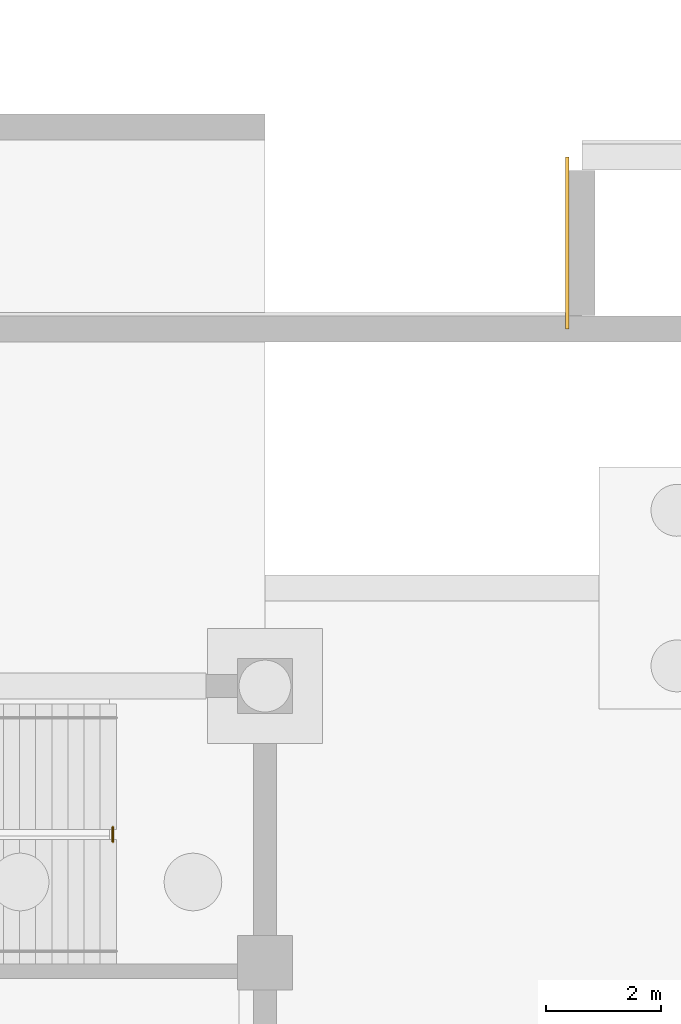
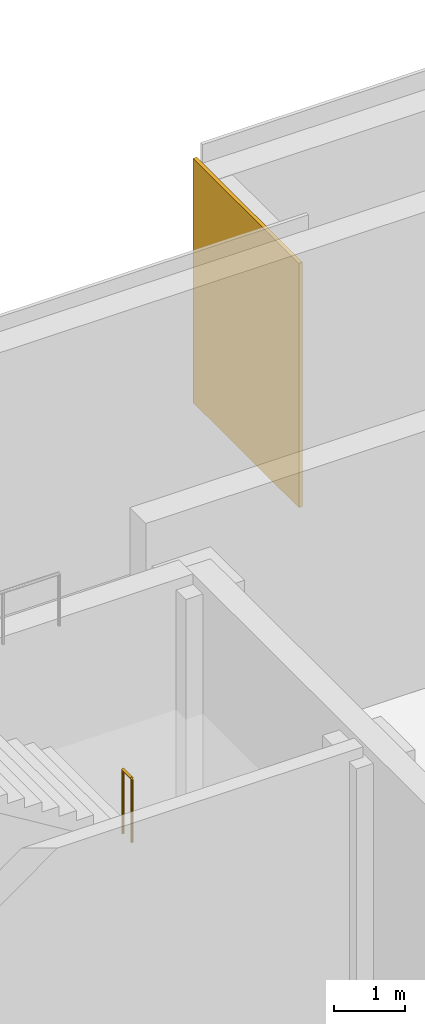
# One storey, part 20 of 25: 1 covering, 1 railing.
"""IFC4 building model written with IfcOpenShell, lengths in metres."""

from ifc_helpers import new_model, si_unit, direction, frame, origin, origin_2d, place, context, subcontext, project, spatial, rectangle, circle, extrude, material, layer, layer_set, type_object, element, save


model = new_model("IFC4")

# Units and contexts
model_context = context("Model", 3, precision=1e-05, world=origin(), true_north=direction((0.0, 1.0)))
body_context = subcontext(model_context, "Body", "Model", "MODEL_VIEW")
ifc_project = project(units=[si_unit("LENGTHUNIT", "METRE"), si_unit("AREAUNIT", "SQUARE_METRE"), si_unit("VOLUMEUNIT", "CUBIC_METRE"), si_unit("PLANEANGLEUNIT", "RADIAN"), si_unit("MASSUNIT", "GRAM", prefix="KILO")], contexts=[model_context])

# Site, building, storey
site_placement = place(None, origin())
site = spatial("IfcSite", under=ifc_project, at=site_placement, CompositionType="ELEMENT")
building_placement = place(site_placement, origin())
building = spatial("IfcBuilding", under=site, at=building_placement, Name="Solvikara Media Centre", CompositionType="ELEMENT")
storey_placement = place(building_placement, frame((0.0, 0.0, -4.800048828125)))
storey = spatial("IfcBuildingStorey", under=building, at=storey_placement, Name="B01", CompositionType="ELEMENT", Elevation=-4.800048828125)

# Covering
ifc_material_1 = material(Name="Reconstituted pale limestone flood-plinth cladding", Category="masonry")
ifc_layer = layer(ifc_material_1, 0.06005859375)
ifc_layer_set = layer_set([ifc_layer], Name="Reconstituted pale limestone flood-plinth cladding")
covering_type = type_object("IfcCoveringType", Name="CV-05", PredefinedType="CLADDING", material=ifc_layer_set)
covering_placement = place(storey_placement, frame((81.7451171875, 44.489990234375, 0.0), z_axis=(0.0, 0.0, 1.0), x_axis=(0.0, 1.0, 0.0)))
element("IfcCovering", 1, at=covering_placement, inside=storey, type_object=covering_type, Name="PLN-QUAYW", PredefinedType="CLADDING", context=body_context, shape_type="SweptSolid", body=[
    extrude(rectangle(XDim=2.97998046875, YDim=0.06005859375, at=origin_2d()), origin(), (0.0, 0.0, 1.0), 4.199951171875),
])

# Railing
ifc_material_2 = material(Name="Steel S355JR", Category="steel")
railing_type = type_object("IfcRailingType", Name="GR-02", PredefinedType="BALUSTRADE", material=ifc_material_2)
railing_placement = place(storey_placement, frame((73.860107421875, 34.10009765625, 2.400146484375)))
element("IfcRailing", 2, at=railing_placement, inside=storey, type_object=railing_type, Name="GR-C3-B01-M", PredefinedType="BALUSTRADE", context=body_context, shape_type="SweptSolid", body=[
    extrude(circle(Radius=0.02392578125, at=origin_2d()), frame((0.0, 0.0, 1.09619140625), z_axis=(0.0, 1.0, 0.0), x_axis=(-1.0, 0.0, 0.0)), (0.0, 0.0, 1.0), 0.25),
    extrude(circle(Radius=0.02099609375, at=origin_2d()), origin(), (0.0, 0.0, 1.0), 1.072021484375),
    extrude(circle(Radius=0.02099609375, at=origin_2d()), frame((0.0, 0.25, 0.0)), (0.0, 0.0, 1.0), 1.072021484375),
])

save(model, "model.ifc")
